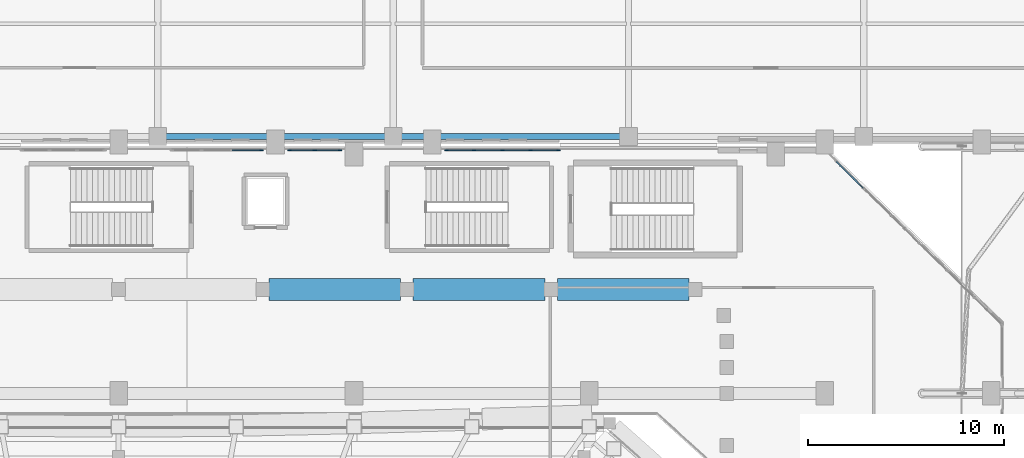
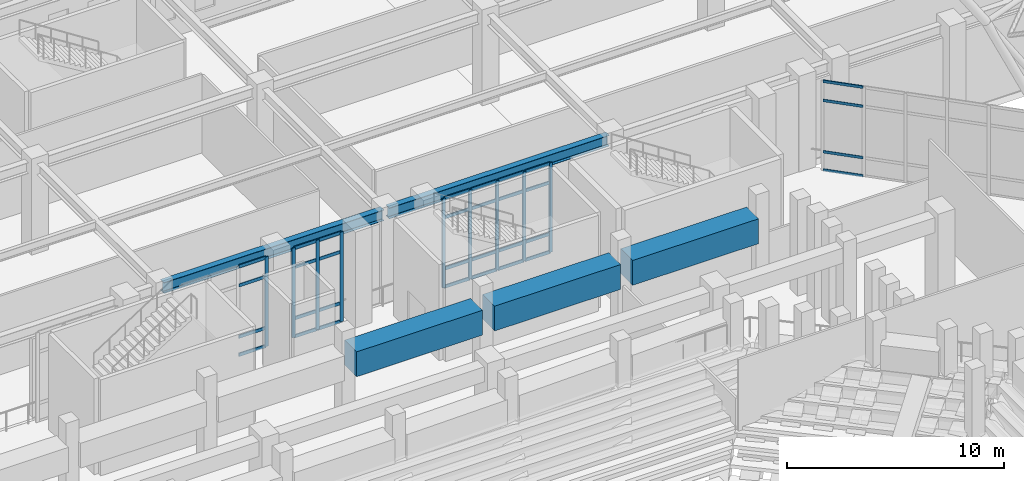
# One storey, part 55 of 159: 41 members, 5 beams, 4 elements without a shape of their own.
"""IFC4 building model written with IfcOpenShell, lengths in metres."""

from ifc_helpers import new_model, si_unit, derived_unit, direction, frame, origin, origin_2d, place, context, subcontext, project, spatial, rectangle, i_section, extrude, material, layer, layer_set, material_profile, profile_set, type_object, element, aggregate, save


model = new_model("IFC4")

# Units and contexts
model_context = context("Model", 3, precision=1e-05, world=origin(), true_north=direction((0.0, 1.0)))
body_context = subcontext(model_context, "Body", "Model", "MODEL_VIEW")
ifc_project = project(units=[si_unit("LENGTHUNIT", "METRE"), si_unit("AREAUNIT", "SQUARE_METRE"), si_unit("VOLUMEUNIT", "CUBIC_METRE"), si_unit("PLANEANGLEUNIT", "RADIAN"), si_unit("MASSUNIT", "GRAM", prefix="KILO"), derived_unit("THERMALTRANSMITTANCEUNIT", [(si_unit("MASSUNIT", "GRAM", prefix="KILO"), 1), (si_unit("TIMEUNIT", "SECOND"), -3), (si_unit("THERMODYNAMICTEMPERATUREUNIT", "KELVIN"), -1)])], contexts=[model_context])

# Site, building, storey
site_placement = place(None, origin())
site = spatial("IfcSite", under=ifc_project, at=site_placement, CompositionType="ELEMENT")
building_placement = place(site_placement, origin())
building = spatial("IfcBuilding", under=site, at=building_placement, Name="Valcora Ridge Arena", CompositionType="ELEMENT")
storey_placement = place(building_placement, frame((0.0, 0.0, 6.0)))
storey = spatial("IfcBuildingStorey", under=building, at=storey_placement, Name="L01", CompositionType="ELEMENT", Elevation=6.0)

# Beams
ifc_material_1 = material(Name="Steel ASTM A572 Grade 50", Category="steel")
ifc_material_profile_1 = material_profile(ifc_material_1, i_section(OverallWidth=0.324951171875, OverallDepth=0.612060546875, WebThickness=0.0126953125, FlangeThickness=0.01904296875, FilletRadius=0.01806640625, at=origin_2d()), Name="W24X104")
ifc_profile_set_1 = profile_set([ifc_material_profile_1], Name="Steel ASTM A572 Grade 50")
beam_type_1 = type_object("IfcBeamType", Name="TY-BEAM-G-W24X104-X", PredefinedType="BEAM", material=ifc_profile_set_1)
for number, where, z_axis, x_axis, name in (
    (1, (60.139892578125, 108.699951171875, 4.73388671875), (1.0, 0.0, 0.0), (0.0, 1.0, 0.0), "G-W24X104-X BEM-G-W24X104-X-0038"),
    (2, (72.139892578125, 108.699951171875, 4.73388671875), (1.0, 0.0, 0.0), (0.0, 1.0, 0.0), "G-W24X104-X BEM-G-W24X104-X-0039"),
):
    element("IfcBeam", number, at=place(storey_placement, frame(where, z_axis=z_axis, x_axis=x_axis)), inside=storey, type_object=beam_type_1, Name=name, PredefinedType="BEAM", context=body_context, shape_type="SweptSolid", body=[
        extrude(i_section(OverallWidth=0.324951171875, OverallDepth=0.612060546875, WebThickness=0.0126953125, FlangeThickness=0.01904296875, FilletRadius=0.01806640625, at=origin_2d()), origin(), (0.0, 0.0, 1.0), 11.72021484375),
    ])
ifc_material_2 = material(Name="Concrete C45/55", Category="concrete")
ifc_material_profile_2 = material_profile(ifc_material_2, rectangle(XDim=1.10009765625, YDim=1.39990234375, at=origin_2d()), Name="RC 1100x1400")
ifc_profile_set_2 = profile_set([ifc_material_profile_2], Name="Concrete C45/55")
beam_type_2 = type_object("IfcBeamType", Name="TY-BEAM-RKR-URING-1200", PredefinedType="USERDEFINED", material=ifc_profile_set_2)
for number, where, z_axis, x_axis, name in (
    (3, (87.080078125, 100.89990234375, 3.47509765625), (-1.0, 0.0, 0.0), (0.0, -1.0, 0.0), "RKR-URING-1200 BEM-RU2-RKR-URING-1200-0009"),
    (4, (79.72998046875, 100.89990234375, 3.47509765625), (-1.0, 0.0, 0.0), (0.0, -1.0, 0.0), "RKR-URING-1200 BEM-RU2-RKR-URING-1200-0010"),
    (5, (72.3798828125, 100.89990234375, 3.47509765625), (-1.0, 0.0, 0.0), (0.0, -1.0, 0.0), "RKR-URING-1200 BEM-RU2-RKR-URING-1200-0011"),
):
    element("IfcBeam", number, at=place(storey_placement, frame(where, z_axis=z_axis, x_axis=x_axis)), inside=storey, type_object=beam_type_2, Name=name, ObjectType="RAKER", PredefinedType="USERDEFINED", context=body_context, shape_type="SweptSolid", body=[
        extrude(rectangle(XDim=1.10009765625, YDim=1.39990234375, at=origin_2d()), origin(), (0.0, 0.0, 1.0), 6.7099609375),
    ])

# Curtain wall, member
ifc_material_3 = material(Name="Anodised dark bronze architectural aluminium 6063-T6", Category="aluminium")
ifc_layer_1 = layer(ifc_material_3, 0.179931640625, Name="Anodised dark bronze architectural aluminium 6063-T6")
ifc_layer_set_1 = layer_set([ifc_layer_1], Name="Anodised dark bronze architectural aluminium 6063-T6")
curtain_wall_type_1 = type_object("IfcCurtainWallType", Name="TY-CURTAINWALL-CW-V1-GOTH-046X50", PredefinedType="NOTDEFINED", material=ifc_layer_set_1)
curtain_wall_1_placement = place(storey_placement, origin())
curtain_wall_1 = element("IfcCurtainWall", 6, at=curtain_wall_1_placement, inside=storey, type_object=curtain_wall_type_1, Name="CW-V1-GOTH-046X50 CW-0103", PredefinedType="NOTDEFINED")
ifc_material_profile_3 = material_profile(ifc_material_3, rectangle(XDim=0.06005859375, YDim=0.179931640625, at=origin_2d()), Name="ALU MULLION 60x180")
ifc_profile_set_3 = profile_set([ifc_material_profile_3], Name="Anodised dark bronze architectural aluminium 6063-T6")
member_type_1 = type_object("IfcMemberType", Name="TY-MEM-CWM-60x180", PredefinedType="MULLION", material=ifc_profile_set_3)
member_1_placement = place(storey_placement, frame((65.280029296875, 108.0, 0.0), z_axis=(0.0, 0.0, 1.0), x_axis=(0.0, 1.0, 0.0)))
member_1 = element("IfcMember", 7, at=member_1_placement, type_object=member_type_1, Name="CW-0103/CWM-60x180/M03", PredefinedType="MULLION", context=body_context, shape_type="SweptSolid", body=[
    extrude(rectangle(XDim=0.06005859375, YDim=0.179931640625, at=origin_2d()), origin(), (0.0, 0.0, 1.0), 5.0400390625),
])

# Curtain wall, members
ifc_layer_2 = layer(ifc_material_3, 0.179931640625, Name="Anodised dark bronze architectural aluminium 6063-T6")
ifc_layer_set_2 = layer_set([ifc_layer_2], Name="Anodised dark bronze architectural aluminium 6063-T6")
curtain_wall_type_2 = type_object("IfcCurtainWallType", Name="TY-CURTAINWALL-CW-V1-GOTH-026X50", PredefinedType="NOTDEFINED", material=ifc_layer_set_2)
curtain_wall_2_placement = place(storey_placement, origin())
curtain_wall_2 = element("IfcCurtainWall", 8, at=curtain_wall_2_placement, inside=storey, type_object=curtain_wall_type_2, Name="CW-V1-GOTH-026X50 CW-0104", PredefinedType="NOTDEFINED")
member_2_placement = place(storey_placement, frame((66.719970703125, 108.0, 0.0), z_axis=(0.0, 0.0, 1.0), x_axis=(0.0, 1.0, 0.0)))
member_2 = element("IfcMember", 9, at=member_2_placement, type_object=member_type_1, Name="CW-0104/CWM-60x180/M00", PredefinedType="MULLION", context=body_context, shape_type="SweptSolid", body=[
    extrude(rectangle(XDim=0.06005859375, YDim=0.179931640625, at=origin_2d()), origin(), (0.0, 0.0, 1.0), 5.0400390625),
])
member_3_placement = place(storey_placement, frame((68.0, 108.0, 0.0), z_axis=(0.0, 0.0, 1.0), x_axis=(0.0, 1.0, 0.0)))
member_3 = element("IfcMember", 10, at=member_3_placement, type_object=member_type_1, Name="CW-0104/CWM-60x180/M01", PredefinedType="MULLION", context=body_context, shape_type="SweptSolid", body=[
    extrude(rectangle(XDim=0.06005859375, YDim=0.179931640625, at=origin_2d()), origin(), (0.0, 0.0, 1.0), 5.0400390625),
])
member_4_placement = place(storey_placement, frame((69.280029296875, 108.0, 0.0), z_axis=(0.0, 0.0, 1.0), x_axis=(0.0, 1.0, 0.0)))
member_4 = element("IfcMember", 11, at=member_4_placement, type_object=member_type_1, Name="CW-0104/CWM-60x180/M02", PredefinedType="MULLION", context=body_context, shape_type="SweptSolid", body=[
    extrude(rectangle(XDim=0.06005859375, YDim=0.179931640625, at=origin_2d()), origin(), (0.0, 0.0, 1.0), 5.0400390625),
])

ifc_layer_3 = layer(ifc_material_3, 0.179931640625, Name="Anodised dark bronze architectural aluminium 6063-T6")
ifc_layer_set_3 = layer_set([ifc_layer_3], Name="Anodised dark bronze architectural aluminium 6063-T6")
curtain_wall_type_3 = type_object("IfcCurtainWallType", Name="TY-CURTAINWALL-CW-V1-GOTH-058X50", PredefinedType="NOTDEFINED", material=ifc_layer_set_3)
curtain_wall_3_placement = place(storey_placement, origin())
curtain_wall_3 = element("IfcCurtainWall", 12, at=curtain_wall_3_placement, inside=storey, type_object=curtain_wall_type_3, Name="CW-V1-GOTH-058X50 CW-0105", PredefinedType="NOTDEFINED")
member_5_placement = place(storey_placement, frame((74.719970703125, 108.0, 0.0), z_axis=(0.0, 0.0, 1.0), x_axis=(0.0, 1.0, 0.0)))
member_5 = element("IfcMember", 13, at=member_5_placement, type_object=member_type_1, Name="CW-0105/CWM-60x180/M00", PredefinedType="MULLION", context=body_context, shape_type="SweptSolid", body=[
    extrude(rectangle(XDim=0.06005859375, YDim=0.179931640625, at=origin_2d()), origin(), (0.0, 0.0, 1.0), 5.0400390625),
])
member_6_placement = place(storey_placement, frame((76.1298828125, 108.0, 0.0), z_axis=(0.0, 0.0, 1.0), x_axis=(0.0, 1.0, 0.0)))
member_6 = element("IfcMember", 14, at=member_6_placement, type_object=member_type_1, Name="CW-0105/CWM-60x180/M01", PredefinedType="MULLION", context=body_context, shape_type="SweptSolid", body=[
    extrude(rectangle(XDim=0.06005859375, YDim=0.179931640625, at=origin_2d()), origin(), (0.0, 0.0, 1.0), 5.0400390625),
])
member_7_placement = place(storey_placement, frame((77.570068359375, 108.0, 0.0), z_axis=(0.0, 0.0, 1.0), x_axis=(0.0, 1.0, 0.0)))
member_7 = element("IfcMember", 15, at=member_7_placement, type_object=member_type_1, Name="CW-0105/CWM-60x180/M02", PredefinedType="MULLION", context=body_context, shape_type="SweptSolid", body=[
    extrude(rectangle(XDim=0.06005859375, YDim=0.179931640625, at=origin_2d()), origin(), (0.0, 0.0, 1.0), 5.0400390625),
])
member_8_placement = place(storey_placement, frame((79.010009765625, 108.0, 0.0), z_axis=(0.0, 0.0, 1.0), x_axis=(0.0, 1.0, 0.0)))
member_8 = element("IfcMember", 16, at=member_8_placement, type_object=member_type_1, Name="CW-0105/CWM-60x180/M03", PredefinedType="MULLION", context=body_context, shape_type="SweptSolid", body=[
    extrude(rectangle(XDim=0.06005859375, YDim=0.179931640625, at=origin_2d()), origin(), (0.0, 0.0, 1.0), 5.0400390625),
])
member_9_placement = place(storey_placement, frame((80.419921875, 108.0, 0.0), z_axis=(0.0, 0.0, 1.0), x_axis=(0.0, 1.0, 0.0)))
member_9 = element("IfcMember", 17, at=member_9_placement, type_object=member_type_1, Name="CW-0105/CWM-60x180/M04", PredefinedType="MULLION", context=body_context, shape_type="SweptSolid", body=[
    extrude(rectangle(XDim=0.06005859375, YDim=0.179931640625, at=origin_2d()), origin(), (0.0, 0.0, 1.0), 5.0400390625),
])

ifc_layer_4 = layer(ifc_material_3, 0.14990234375, Name="Anodised dark bronze architectural aluminium 6063-T6")
ifc_layer_set_4 = layer_set([ifc_layer_4], Name="Anodised dark bronze architectural aluminium 6063-T6")
curtain_wall_type_4 = type_object("IfcCurtainWallType", Name="TY-CURTAINWALL-CW-V1-EAST-119X50", PredefinedType="NOTDEFINED", material=ifc_layer_set_4)
curtain_wall_4_placement = place(storey_placement, origin())
curtain_wall_4 = element("IfcCurtainWall", 18, at=curtain_wall_4_placement, inside=storey, type_object=curtain_wall_type_4, Name="CW-V1-EAST-119X50 CW-0113", PredefinedType="NOTDEFINED")
ifc_material_profile_4 = material_profile(ifc_material_3, rectangle(XDim=0.050048828125, YDim=0.14990234375, at=origin_2d()), Name="ALU TRANSOM 50x150")
ifc_profile_set_4 = profile_set([ifc_material_profile_4], Name="Anodised dark bronze architectural aluminium 6063-T6")
member_type_2 = type_object("IfcMemberType", Name="TY-MEM-CWT-50x150", PredefinedType="USERDEFINED", material=ifc_profile_set_4)
member_10_placement = place(storey_placement, frame((95.957275390625, 106.0712890625, 0.02490234375), z_axis=(-0.712262130381, 0.701913568486, 0.0), x_axis=(-0.701913568486, -0.712262130381, 0.0)))
member_10 = element("IfcMember", 19, at=member_10_placement, type_object=member_type_2, Name="CW-0113/CWT-50x150/T05-00", ObjectType="TRANSOM", PredefinedType="USERDEFINED", context=body_context, shape_type="SweptSolid", body=[
    extrude(rectangle(XDim=0.050048828125, YDim=0.14990234375, at=origin_2d()), origin(), (0.0, 0.0, 1.0), 1.910888671875),
])
member_11_placement = place(storey_placement, frame((95.957275390625, 106.0712890625, 1.050048828125), z_axis=(-0.712262130381, 0.701913568486, 0.0), x_axis=(-0.701913568486, -0.712262130381, 0.0)))
member_11 = element("IfcMember", 20, at=member_11_placement, type_object=member_type_2, Name="CW-0113/CWT-50x150/T05-01", ObjectType="TRANSOM", PredefinedType="USERDEFINED", context=body_context, shape_type="SweptSolid", body=[
    extrude(rectangle(XDim=0.050048828125, YDim=0.14990234375, at=origin_2d()), origin(), (0.0, 0.0, 1.0), 1.910888671875),
])
member_12_placement = place(storey_placement, frame((95.957275390625, 106.0712890625, 3.93994140625), z_axis=(-0.712262130381, 0.701913568486, 0.0), x_axis=(-0.701913568486, -0.712262130381, 0.0)))
member_12 = element("IfcMember", 21, at=member_12_placement, type_object=member_type_2, Name="CW-0113/CWT-50x150/T05-02", ObjectType="TRANSOM", PredefinedType="USERDEFINED", context=body_context, shape_type="SweptSolid", body=[
    extrude(rectangle(XDim=0.050048828125, YDim=0.14990234375, at=origin_2d()), origin(), (0.0, 0.0, 1.0), 1.910888671875),
])
member_13_placement = place(storey_placement, frame((95.957275390625, 106.0712890625, 5.014892578125), z_axis=(-0.712262130381, 0.701913568486, 0.0), x_axis=(-0.701913568486, -0.712262130381, 0.0)))
member_13 = element("IfcMember", 22, at=member_13_placement, type_object=member_type_2, Name="CW-0113/CWT-50x150/T05-03", ObjectType="TRANSOM", PredefinedType="USERDEFINED", context=body_context, shape_type="SweptSolid", body=[
    extrude(rectangle(XDim=0.050048828125, YDim=0.14990234375, at=origin_2d()), origin(), (0.0, 0.0, 1.0), 1.910888671875),
])
aggregate(curtain_wall_4, [member_10, member_11, member_12, member_13])

# Member
ifc_material_profile_5 = material_profile(ifc_material_3, rectangle(XDim=0.06005859375, YDim=0.179931640625, at=origin_2d()), Name="ALU TRANSOM 60x180")
ifc_profile_set_5 = profile_set([ifc_material_profile_5], Name="Anodised dark bronze architectural aluminium 6063-T6")
member_type_3 = type_object("IfcMemberType", Name="TY-MEM-CWT-60x180", PredefinedType="USERDEFINED", material=ifc_profile_set_5)
member_14_placement = place(storey_placement, frame((63.800048828125, 108.0, 0.030029296875), z_axis=(1.0, 0.0, 0.0), x_axis=(0.0, 1.0, 0.0)))
member_14 = element("IfcMember", 23, at=member_14_placement, type_object=member_type_3, Name="CW-0103/CWT-60x180/T02-00", ObjectType="TRANSOM", PredefinedType="USERDEFINED", context=body_context, shape_type="SweptSolid", body=[
    extrude(rectangle(XDim=0.06005859375, YDim=0.179931640625, at=origin_2d()), origin(), (0.0, 0.0, 1.0), 1.449951171875),
])

member_15_placement = place(storey_placement, frame((63.800048828125, 108.0, 1.050048828125), z_axis=(1.0, 0.0, 0.0), x_axis=(0.0, 1.0, 0.0)))
member_15 = element("IfcMember", 24, at=member_15_placement, type_object=member_type_3, Name="CW-0103/CWT-60x180/T02-01", ObjectType="TRANSOM", PredefinedType="USERDEFINED", context=body_context, shape_type="SweptSolid", body=[
    extrude(rectangle(XDim=0.06005859375, YDim=0.179931640625, at=origin_2d()), origin(), (0.0, 0.0, 1.0), 1.449951171875),
])

member_16_placement = place(storey_placement, frame((63.800048828125, 108.0, 3.93994140625), z_axis=(1.0, 0.0, 0.0), x_axis=(0.0, 1.0, 0.0)))
member_16 = element("IfcMember", 25, at=member_16_placement, type_object=member_type_3, Name="CW-0103/CWT-60x180/T02-02", ObjectType="TRANSOM", PredefinedType="USERDEFINED", context=body_context, shape_type="SweptSolid", body=[
    extrude(rectangle(XDim=0.06005859375, YDim=0.179931640625, at=origin_2d()), origin(), (0.0, 0.0, 1.0), 1.449951171875),
])

member_17_placement = place(storey_placement, frame((63.800048828125, 108.0, 5.010009765625), z_axis=(1.0, 0.0, 0.0), x_axis=(0.0, 1.0, 0.0)))
member_17 = element("IfcMember", 26, at=member_17_placement, type_object=member_type_3, Name="CW-0103/CWT-60x180/T02-03", ObjectType="TRANSOM", PredefinedType="USERDEFINED", context=body_context, shape_type="SweptSolid", body=[
    extrude(rectangle(XDim=0.06005859375, YDim=0.179931640625, at=origin_2d()), origin(), (0.0, 0.0, 1.0), 1.449951171875),
])

aggregate(curtain_wall_1, [member_1, member_14, member_15, member_16, member_17])

member_18_placement = place(storey_placement, frame((66.75, 108.0, 0.030029296875), z_axis=(1.0, 0.0, 0.0), x_axis=(0.0, 1.0, 0.0)))
member_18 = element("IfcMember", 27, at=member_18_placement, type_object=member_type_3, Name="CW-0104/CWT-60x180/T00-00", ObjectType="TRANSOM", PredefinedType="USERDEFINED", context=body_context, shape_type="SweptSolid", body=[
    extrude(rectangle(XDim=0.06005859375, YDim=0.179931640625, at=origin_2d()), origin(), (0.0, 0.0, 1.0), 1.219970703125),
])

member_19_placement = place(storey_placement, frame((66.75, 108.0, 1.050048828125), z_axis=(1.0, 0.0, 0.0), x_axis=(0.0, 1.0, 0.0)))
member_19 = element("IfcMember", 28, at=member_19_placement, type_object=member_type_3, Name="CW-0104/CWT-60x180/T00-01", ObjectType="TRANSOM", PredefinedType="USERDEFINED", context=body_context, shape_type="SweptSolid", body=[
    extrude(rectangle(XDim=0.06005859375, YDim=0.179931640625, at=origin_2d()), origin(), (0.0, 0.0, 1.0), 1.219970703125),
])

member_20_placement = place(storey_placement, frame((66.75, 108.0, 3.93994140625), z_axis=(1.0, 0.0, 0.0), x_axis=(0.0, 1.0, 0.0)))
member_20 = element("IfcMember", 29, at=member_20_placement, type_object=member_type_3, Name="CW-0104/CWT-60x180/T00-02", ObjectType="TRANSOM", PredefinedType="USERDEFINED", context=body_context, shape_type="SweptSolid", body=[
    extrude(rectangle(XDim=0.06005859375, YDim=0.179931640625, at=origin_2d()), origin(), (0.0, 0.0, 1.0), 1.219970703125),
])

member_21_placement = place(storey_placement, frame((66.75, 108.0, 5.010009765625), z_axis=(1.0, 0.0, 0.0), x_axis=(0.0, 1.0, 0.0)))
member_21 = element("IfcMember", 30, at=member_21_placement, type_object=member_type_3, Name="CW-0104/CWT-60x180/T00-03", ObjectType="TRANSOM", PredefinedType="USERDEFINED", context=body_context, shape_type="SweptSolid", body=[
    extrude(rectangle(XDim=0.06005859375, YDim=0.179931640625, at=origin_2d()), origin(), (0.0, 0.0, 1.0), 1.219970703125),
])

member_22_placement = place(storey_placement, frame((68.030029296875, 108.0, 0.030029296875), z_axis=(1.0, 0.0, 0.0), x_axis=(0.0, 1.0, 0.0)))
member_22 = element("IfcMember", 31, at=member_22_placement, type_object=member_type_3, Name="CW-0104/CWT-60x180/T01-00", ObjectType="TRANSOM", PredefinedType="USERDEFINED", context=body_context, shape_type="SweptSolid", body=[
    extrude(rectangle(XDim=0.06005859375, YDim=0.179931640625, at=origin_2d()), origin(), (0.0, 0.0, 1.0), 1.219970703125),
])

member_23_placement = place(storey_placement, frame((68.030029296875, 108.0, 1.050048828125), z_axis=(1.0, 0.0, 0.0), x_axis=(0.0, 1.0, 0.0)))
member_23 = element("IfcMember", 32, at=member_23_placement, type_object=member_type_3, Name="CW-0104/CWT-60x180/T01-01", ObjectType="TRANSOM", PredefinedType="USERDEFINED", context=body_context, shape_type="SweptSolid", body=[
    extrude(rectangle(XDim=0.06005859375, YDim=0.179931640625, at=origin_2d()), origin(), (0.0, 0.0, 1.0), 1.219970703125),
])

member_24_placement = place(storey_placement, frame((68.030029296875, 108.0, 3.93994140625), z_axis=(1.0, 0.0, 0.0), x_axis=(0.0, 1.0, 0.0)))
member_24 = element("IfcMember", 33, at=member_24_placement, type_object=member_type_3, Name="CW-0104/CWT-60x180/T01-02", ObjectType="TRANSOM", PredefinedType="USERDEFINED", context=body_context, shape_type="SweptSolid", body=[
    extrude(rectangle(XDim=0.06005859375, YDim=0.179931640625, at=origin_2d()), origin(), (0.0, 0.0, 1.0), 1.219970703125),
])

member_25_placement = place(storey_placement, frame((68.030029296875, 108.0, 5.010009765625), z_axis=(1.0, 0.0, 0.0), x_axis=(0.0, 1.0, 0.0)))
member_25 = element("IfcMember", 34, at=member_25_placement, type_object=member_type_3, Name="CW-0104/CWT-60x180/T01-03", ObjectType="TRANSOM", PredefinedType="USERDEFINED", context=body_context, shape_type="SweptSolid", body=[
    extrude(rectangle(XDim=0.06005859375, YDim=0.179931640625, at=origin_2d()), origin(), (0.0, 0.0, 1.0), 1.219970703125),
])

aggregate(curtain_wall_2, [member_2, member_3, member_4, member_18, member_19, member_20, member_21, member_22, member_23, member_24, member_25])

member_26_placement = place(storey_placement, frame((74.75, 108.0, 0.030029296875), z_axis=(1.0, 0.0, 0.0), x_axis=(0.0, 1.0, 0.0)))
member_26 = element("IfcMember", 35, at=member_26_placement, type_object=member_type_3, Name="CW-0105/CWT-60x180/T00-00", ObjectType="TRANSOM", PredefinedType="USERDEFINED", context=body_context, shape_type="SweptSolid", body=[
    extrude(rectangle(XDim=0.06005859375, YDim=0.179931640625, at=origin_2d()), origin(), (0.0, 0.0, 1.0), 1.35009765625),
])

member_27_placement = place(storey_placement, frame((74.75, 108.0, 1.050048828125), z_axis=(1.0, 0.0, 0.0), x_axis=(0.0, 1.0, 0.0)))
member_27 = element("IfcMember", 36, at=member_27_placement, type_object=member_type_3, Name="CW-0105/CWT-60x180/T00-01", ObjectType="TRANSOM", PredefinedType="USERDEFINED", context=body_context, shape_type="SweptSolid", body=[
    extrude(rectangle(XDim=0.06005859375, YDim=0.179931640625, at=origin_2d()), origin(), (0.0, 0.0, 1.0), 1.35009765625),
])

member_28_placement = place(storey_placement, frame((74.75, 108.0, 3.93994140625), z_axis=(1.0, 0.0, 0.0), x_axis=(0.0, 1.0, 0.0)))
member_28 = element("IfcMember", 37, at=member_28_placement, type_object=member_type_3, Name="CW-0105/CWT-60x180/T00-02", ObjectType="TRANSOM", PredefinedType="USERDEFINED", context=body_context, shape_type="SweptSolid", body=[
    extrude(rectangle(XDim=0.06005859375, YDim=0.179931640625, at=origin_2d()), origin(), (0.0, 0.0, 1.0), 1.35009765625),
])

member_29_placement = place(storey_placement, frame((74.75, 108.0, 5.010009765625), z_axis=(1.0, 0.0, 0.0), x_axis=(0.0, 1.0, 0.0)))
member_29 = element("IfcMember", 38, at=member_29_placement, type_object=member_type_3, Name="CW-0105/CWT-60x180/T00-03", ObjectType="TRANSOM", PredefinedType="USERDEFINED", context=body_context, shape_type="SweptSolid", body=[
    extrude(rectangle(XDim=0.06005859375, YDim=0.179931640625, at=origin_2d()), origin(), (0.0, 0.0, 1.0), 1.35009765625),
])

member_30_placement = place(storey_placement, frame((76.159912109375, 108.0, 0.030029296875), z_axis=(1.0, 0.0, 0.0), x_axis=(0.0, 1.0, 0.0)))
member_30 = element("IfcMember", 39, at=member_30_placement, type_object=member_type_3, Name="CW-0105/CWT-60x180/T01-00", ObjectType="TRANSOM", PredefinedType="USERDEFINED", context=body_context, shape_type="SweptSolid", body=[
    extrude(rectangle(XDim=0.06005859375, YDim=0.179931640625, at=origin_2d()), origin(), (0.0, 0.0, 1.0), 1.380126953125),
])

member_31_placement = place(storey_placement, frame((76.159912109375, 108.0, 1.050048828125), z_axis=(1.0, 0.0, 0.0), x_axis=(0.0, 1.0, 0.0)))
member_31 = element("IfcMember", 40, at=member_31_placement, type_object=member_type_3, Name="CW-0105/CWT-60x180/T01-01", ObjectType="TRANSOM", PredefinedType="USERDEFINED", context=body_context, shape_type="SweptSolid", body=[
    extrude(rectangle(XDim=0.06005859375, YDim=0.179931640625, at=origin_2d()), origin(), (0.0, 0.0, 1.0), 1.380126953125),
])

member_32_placement = place(storey_placement, frame((76.159912109375, 108.0, 3.93994140625), z_axis=(1.0, 0.0, 0.0), x_axis=(0.0, 1.0, 0.0)))
member_32 = element("IfcMember", 41, at=member_32_placement, type_object=member_type_3, Name="CW-0105/CWT-60x180/T01-02", ObjectType="TRANSOM", PredefinedType="USERDEFINED", context=body_context, shape_type="SweptSolid", body=[
    extrude(rectangle(XDim=0.06005859375, YDim=0.179931640625, at=origin_2d()), origin(), (0.0, 0.0, 1.0), 1.380126953125),
])

member_33_placement = place(storey_placement, frame((76.159912109375, 108.0, 5.010009765625), z_axis=(1.0, 0.0, 0.0), x_axis=(0.0, 1.0, 0.0)))
member_33 = element("IfcMember", 42, at=member_33_placement, type_object=member_type_3, Name="CW-0105/CWT-60x180/T01-03", ObjectType="TRANSOM", PredefinedType="USERDEFINED", context=body_context, shape_type="SweptSolid", body=[
    extrude(rectangle(XDim=0.06005859375, YDim=0.179931640625, at=origin_2d()), origin(), (0.0, 0.0, 1.0), 1.380126953125),
])

member_34_placement = place(storey_placement, frame((77.60009765625, 108.0, 0.030029296875), z_axis=(1.0, 0.0, 0.0), x_axis=(0.0, 1.0, 0.0)))
member_34 = element("IfcMember", 43, at=member_34_placement, type_object=member_type_3, Name="CW-0105/CWT-60x180/T02-00", ObjectType="TRANSOM", PredefinedType="USERDEFINED", context=body_context, shape_type="SweptSolid", body=[
    extrude(rectangle(XDim=0.06005859375, YDim=0.179931640625, at=origin_2d()), origin(), (0.0, 0.0, 1.0), 1.3798828125),
])

member_35_placement = place(storey_placement, frame((77.60009765625, 108.0, 1.050048828125), z_axis=(1.0, 0.0, 0.0), x_axis=(0.0, 1.0, 0.0)))
member_35 = element("IfcMember", 44, at=member_35_placement, type_object=member_type_3, Name="CW-0105/CWT-60x180/T02-01", ObjectType="TRANSOM", PredefinedType="USERDEFINED", context=body_context, shape_type="SweptSolid", body=[
    extrude(rectangle(XDim=0.06005859375, YDim=0.179931640625, at=origin_2d()), origin(), (0.0, 0.0, 1.0), 1.3798828125),
])

member_36_placement = place(storey_placement, frame((77.60009765625, 108.0, 3.93994140625), z_axis=(1.0, 0.0, 0.0), x_axis=(0.0, 1.0, 0.0)))
member_36 = element("IfcMember", 45, at=member_36_placement, type_object=member_type_3, Name="CW-0105/CWT-60x180/T02-02", ObjectType="TRANSOM", PredefinedType="USERDEFINED", context=body_context, shape_type="SweptSolid", body=[
    extrude(rectangle(XDim=0.06005859375, YDim=0.179931640625, at=origin_2d()), origin(), (0.0, 0.0, 1.0), 1.3798828125),
])

member_37_placement = place(storey_placement, frame((77.60009765625, 108.0, 5.010009765625), z_axis=(1.0, 0.0, 0.0), x_axis=(0.0, 1.0, 0.0)))
member_37 = element("IfcMember", 46, at=member_37_placement, type_object=member_type_3, Name="CW-0105/CWT-60x180/T02-03", ObjectType="TRANSOM", PredefinedType="USERDEFINED", context=body_context, shape_type="SweptSolid", body=[
    extrude(rectangle(XDim=0.06005859375, YDim=0.179931640625, at=origin_2d()), origin(), (0.0, 0.0, 1.0), 1.3798828125),
])

member_38_placement = place(storey_placement, frame((79.0400390625, 108.0, 0.030029296875), z_axis=(1.0, 0.0, 0.0), x_axis=(0.0, 1.0, 0.0)))
member_38 = element("IfcMember", 47, at=member_38_placement, type_object=member_type_3, Name="CW-0105/CWT-60x180/T03-00", ObjectType="TRANSOM", PredefinedType="USERDEFINED", context=body_context, shape_type="SweptSolid", body=[
    extrude(rectangle(XDim=0.06005859375, YDim=0.179931640625, at=origin_2d()), origin(), (0.0, 0.0, 1.0), 1.349853515625),
])

member_39_placement = place(storey_placement, frame((79.0400390625, 108.0, 1.050048828125), z_axis=(1.0, 0.0, 0.0), x_axis=(0.0, 1.0, 0.0)))
member_39 = element("IfcMember", 48, at=member_39_placement, type_object=member_type_3, Name="CW-0105/CWT-60x180/T03-01", ObjectType="TRANSOM", PredefinedType="USERDEFINED", context=body_context, shape_type="SweptSolid", body=[
    extrude(rectangle(XDim=0.06005859375, YDim=0.179931640625, at=origin_2d()), origin(), (0.0, 0.0, 1.0), 1.349853515625),
])

member_40_placement = place(storey_placement, frame((79.0400390625, 108.0, 3.93994140625), z_axis=(1.0, 0.0, 0.0), x_axis=(0.0, 1.0, 0.0)))
member_40 = element("IfcMember", 49, at=member_40_placement, type_object=member_type_3, Name="CW-0105/CWT-60x180/T03-02", ObjectType="TRANSOM", PredefinedType="USERDEFINED", context=body_context, shape_type="SweptSolid", body=[
    extrude(rectangle(XDim=0.06005859375, YDim=0.179931640625, at=origin_2d()), origin(), (0.0, 0.0, 1.0), 1.349853515625),
])

member_41_placement = place(storey_placement, frame((79.0400390625, 108.0, 5.010009765625), z_axis=(1.0, 0.0, 0.0), x_axis=(0.0, 1.0, 0.0)))
member_41 = element("IfcMember", 50, at=member_41_placement, type_object=member_type_3, Name="CW-0105/CWT-60x180/T03-03", ObjectType="TRANSOM", PredefinedType="USERDEFINED", context=body_context, shape_type="SweptSolid", body=[
    extrude(rectangle(XDim=0.06005859375, YDim=0.179931640625, at=origin_2d()), origin(), (0.0, 0.0, 1.0), 1.349853515625),
])

aggregate(curtain_wall_3, [member_5, member_6, member_7, member_8, member_9, member_26, member_27, member_28, member_29, member_30, member_31, member_32, member_33, member_34, member_35, member_36, member_37, member_38, member_39, member_40, member_41])

save(model, "model.ifc")
